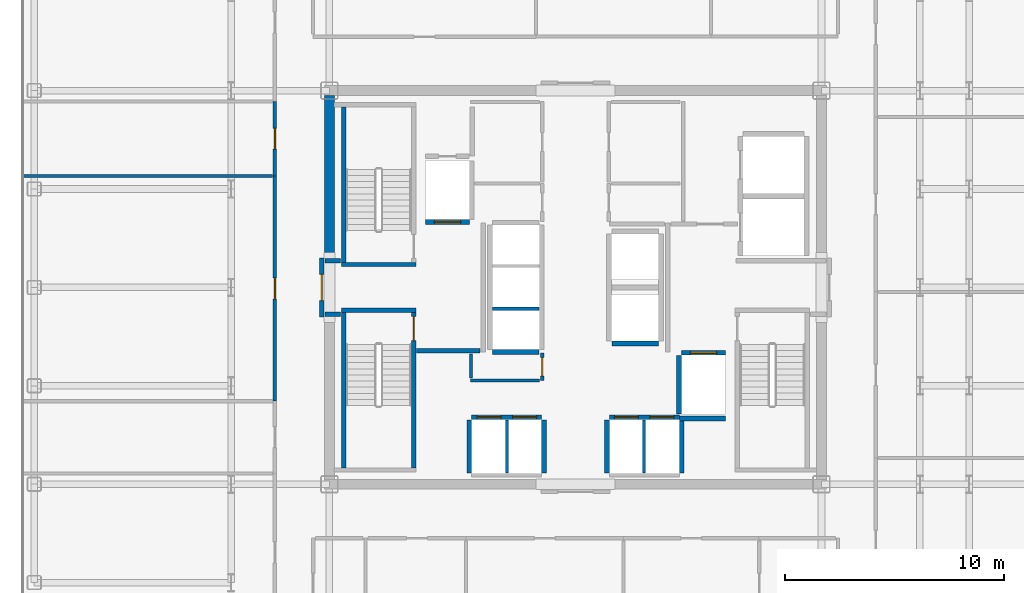
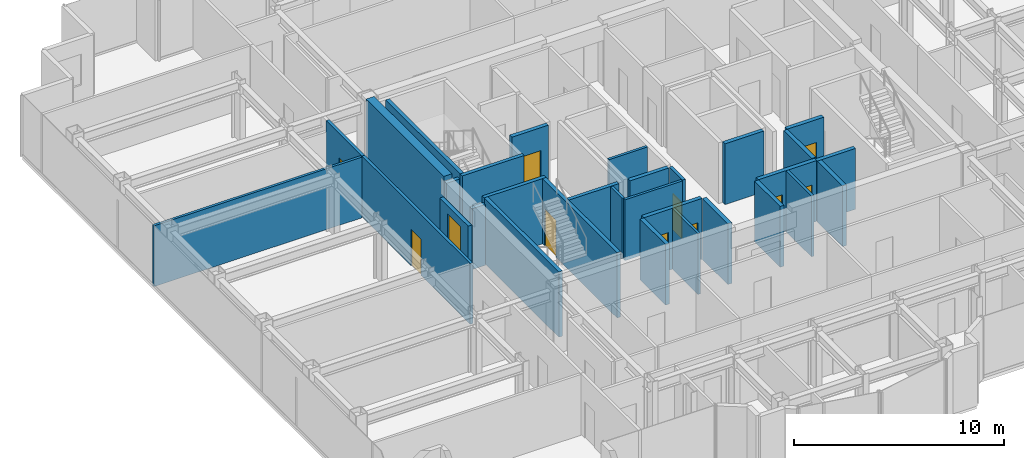
# One storey, part 15 of 20: 31 walls, 11 doors, 11 openings.
"""IFC4 building model written with IfcOpenShell, lengths in metres."""

from ifc_helpers import new_model, si_unit, direction, frame, frame_2d, origin, place, context, subcontext, project, spatial, rectangle, extrude, source, transform, mapped, material, layer, layer_set, type_object, element, fill, save


model = new_model("IFC4")

# Units and contexts
model_context = context("Model", 3, precision=1e-05, world=origin(), true_north=direction((0.0, 1.0)))
body_context = subcontext(model_context, "Body", "Model", "MODEL_VIEW")
ifc_project = project(units=[si_unit("LENGTHUNIT", "METRE"), si_unit("AREAUNIT", "SQUARE_METRE"), si_unit("VOLUMEUNIT", "CUBIC_METRE"), si_unit("PLANEANGLEUNIT", "RADIAN"), si_unit("MASSUNIT", "GRAM", prefix="KILO")], contexts=[model_context])

# Site, building, storey
site_placement = place(None, origin())
site = spatial("IfcSite", under=ifc_project, at=site_placement, CompositionType="ELEMENT")
building_placement = place(site_placement, origin())
building = spatial("IfcBuilding", under=site, at=building_placement, Name="Nefas-Gora Pilgrimage Tower", CompositionType="ELEMENT")
storey_placement = place(building_placement, frame((0.0, 0.0, 237.0)))
storey = spatial("IfcBuildingStorey", under=building, at=storey_placement, Name="L59", CompositionType="ELEMENT", Elevation=237.0)

# Walls
ifc_material_1 = material(Name="Concrete C50/60", Category="concrete")
ifc_layer_1 = layer(ifc_material_1, 0.449951171875)
ifc_layer_set_1 = layer_set([ifc_layer_1], Name="Concrete C50/60")
wall_type_1 = type_object("IfcWallType", Name="SW-CORE-450", PredefinedType="SHEAR", material=ifc_layer_set_1)
shared_shape_1 = source(origin(), body_context, "Body", "SweptSolid", [
    extrude(rectangle(XDim=7.4248046875, YDim=0.449951171875, at=frame_2d((3.71240234375, 0.0))), origin(), (0.0, 0.0, 1.0), 3.800048828125),
])
wall_1_placement = place(storey_placement, frame((-11.25, 1.35009765625, 0.0), z_axis=(0.0, 0.0, 1.0), x_axis=(0.0, 1.0, 0.0)))
element("IfcWall", 1, at=wall_1_placement, inside=storey, type_object=wall_type_1, Name="L59 Core Shear Wall W-North", PredefinedType="SHEAR", context=body_context, shape_type="MappedRepresentation", body=[
    mapped(shared_shape_1, transform((0.0, 0.0, 0.0), x_axis=(1.0, 0.0, 0.0), y_axis=(0.0, 1.0, 0.0), z_axis=(0.0, 0.0, 1.0), scale=1.0)),
])
ifc_material_2 = material(Name="Concrete C45/55", Category="concrete")
ifc_layer_2 = layer(ifc_material_2, 0.199951171875)
ifc_layer_set_2 = layer_set([ifc_layer_2], Name="Concrete C45/55")
wall_type_2 = type_object("IfcWallType", Name="IW-STAIR-200", PredefinedType="SOLIDWALL", material=ifc_layer_set_2)
shared_shape_2 = source(origin(), body_context, "Body", "SweptSolid", [
    extrude(rectangle(XDim=3.39990234375, YDim=0.199951171875, at=frame_2d((1.699951171875, 0.0))), origin(), (0.0, 0.0, 1.0), 3.800048828125),
])
for number, where, z_axis, x_axis, name in (
    (2, (-7.300048828125, 1.050048828125, 0.0), (0.0, 0.0, 1.0), (-1.0, 0.0, 0.0), "L59 Stairwell Shear Wall ST-01-near"),
    (3, (-10.699951171875, -1.050048828125, 0.0), (0.0, 0.0, 1.0), (1.0, 0.0, 0.0), "L59 Stairwell Shear Wall ST-03-near"),
):
    element("IfcWall", number, at=place(storey_placement, frame(where, z_axis=z_axis, x_axis=x_axis)), inside=storey, type_object=wall_type_2, Name=name, PredefinedType="SOLIDWALL", context=body_context, shape_type="MappedRepresentation", body=[
        mapped(shared_shape_2, transform((0.0, 0.0, 0.0), x_axis=(1.0, 0.0, 0.0), y_axis=(0.0, 1.0, 0.0), z_axis=(0.0, 0.0, 1.0), scale=1.0)),
    ])
shared_shape_3 = source(origin(), body_context, "Body", "SweptSolid", [
    extrude(rectangle(XDim=7.10009765625, YDim=0.199951171875, at=frame_2d((3.550048828125, 0.0))), origin(), (0.0, 0.0, 1.0), 3.800048828125),
])
for number, where, z_axis, x_axis, name in (
    (4, (-10.60009765625, 1.14990234375, 0.0), (0.0, 0.0, 1.0), (0.0, 1.0, 0.0), "L59 Stairwell Shear Wall ST-01-right"),
    (5, (-10.60009765625, -1.14990234375, 0.0), (0.0, 0.0, 1.0), (0.0, -1.0, 0.0), "L59 Stairwell Shear Wall ST-03-left"),
):
    element("IfcWall", number, at=place(storey_placement, frame(where, z_axis=z_axis, x_axis=x_axis)), inside=storey, type_object=wall_type_2, Name=name, PredefinedType="SOLIDWALL", context=body_context, shape_type="MappedRepresentation", body=[
        mapped(shared_shape_3, transform((0.0, 0.0, 0.0), x_axis=(1.0, 0.0, 0.0), y_axis=(0.0, 1.0, 0.0), z_axis=(0.0, 0.0, 1.0), scale=1.0)),
    ])

# Wall, opening, door
wall_2_placement = place(storey_placement, frame((-7.39990234375, -1.14990234375, 0.0), z_axis=(0.0, 0.0, 1.0), x_axis=(0.0, -1.0, 0.0)))
wall_2 = element("IfcWall", 6, at=wall_2_placement, inside=storey, type_object=wall_type_2, Name="L59 Stairwell Shear Wall ST-03-right", PredefinedType="SOLIDWALL", context=body_context, shape_type="MappedRepresentation", body=[
    mapped(shared_shape_3, transform((0.0, 0.0, 0.0), x_axis=(1.0, 0.0, 0.0), y_axis=(0.0, 1.0, 0.0), z_axis=(0.0, 0.0, 1.0), scale=1.0)),
])
opening_1_placement = place(wall_2_placement, frame((0.179931640625, 0.0, 0.0)))
opening_1 = element("IfcOpeningElement", 7, at=opening_1_placement, cuts=wall_2, Name="Opening ID-ST1", PredefinedType="OPENING", context=body_context, shape_type="SweptSolid", body=[
    extrude(rectangle(XDim=1.10009765625, YDim=2.14990234375, at=frame_2d((0.550048828125, 1.074951171875))), frame((0.0, 0.10986328125, 0.0), z_axis=(0.0, -1.0, 0.0), x_axis=(1.0, 0.0, 0.0)), (0.0, 0.0, 1.0), 0.219970703125),
])
ifc_material_3 = material(Name="Painted galvanised steel fire stair door", Category="steel")
door_type_1 = type_object("IfcDoorType", Name="DR-INT-STAIR-1100", OperationType="NOTDEFINED", PredefinedType="DOOR", material=ifc_material_3)
shared_shape_4 = source(origin(), body_context, "Body", "SweptSolid", [
    extrude(rectangle(XDim=1.10009765625, YDim=2.14990234375, at=frame_2d((0.550048828125, 1.074951171875))), frame((0.0, 0.02490234375, 0.0), z_axis=(0.0, -1.0, 0.0), x_axis=(1.0, 0.0, 0.0)), (0.0, 0.0, 1.0), 0.050048828125),
])
door_1_placement = place(opening_1_placement, origin())
door_1 = element("IfcDoor", 8, at=door_1_placement, inside=storey, type_object=door_type_1, Name="L59 Protected Exit Stair Door ST-03", OperationType="SINGLE_SWING_LEFT", OverallHeight=2.14990234375, OverallWidth=1.10009765625, PredefinedType="DOOR", context=body_context, shape_type="MappedRepresentation", body=[
    mapped(shared_shape_4, transform((0.0, 0.0, 0.0), x_axis=(1.0, 0.0, 0.0), y_axis=(0.0, 1.0, 0.0), z_axis=(0.0, 0.0, 1.0), scale=1.0)),
])
fill(opening_1, door_1)

ifc_material_4 = material(Name="Concrete C40/50", Category="concrete")
ifc_layer_3 = layer(ifc_material_4, 0.219970703125)
ifc_layer_set_3 = layer_set([ifc_layer_3], Name="Concrete C40/50")
wall_type_3 = type_object("IfcWallType", Name="IW-SHAFT-220", PredefinedType="SOLIDWALL", material=ifc_layer_set_3)
shared_shape_5 = source(origin(), body_context, "Body", "SweptSolid", [
    extrude(rectangle(XDim=2.0, YDim=0.219970703125, at=frame_2d((1.0, 0.0))), origin(), (0.0, 0.0, 1.0), 3.534912109375),
])
wall_3_placement = place(storey_placement, frame((-6.85009765625, 2.989990234375, 0.0), z_axis=(0.0, 0.0, 1.0), x_axis=(1.0, 0.0, 0.0)))
wall_3 = element("IfcWall", 9, at=wall_3_placement, inside=storey, type_object=wall_type_3, Name="L59 Hoistway Wall FFL-01-S", PredefinedType="SOLIDWALL", context=body_context, shape_type="MappedRepresentation", body=[
    mapped(shared_shape_5, transform((0.0, 0.0, 0.0), x_axis=(1.0, 0.0, 0.0), y_axis=(0.0, 1.0, 0.0), z_axis=(0.0, 0.0, 1.0), scale=1.0)),
])
opening_2_placement = place(wall_3_placement, frame((0.39990234375, 0.0, 0.0)))
opening_2 = element("IfcOpeningElement", 10, at=opening_2_placement, cuts=wall_3, Name="Opening LD-FF", PredefinedType="OPENING", context=body_context, shape_type="SweptSolid", body=[
    extrude(rectangle(XDim=1.199951171875, YDim=2.199951171875, at=frame_2d((0.60009765625, 1.10009765625))), frame((0.0, 0.119873046875, 0.0), z_axis=(0.0, -1.0, 0.0), x_axis=(1.0, 0.0, 0.0)), (0.0, 0.0, 1.0), 0.239990234375),
])
ifc_material_5 = material(Name="Fire-service sliding lift landing door")
door_type_2 = type_object("IfcDoorType", Name="DR-LIFT-FSAE-1200", OperationType="SLIDING_TO_LEFT", PredefinedType="DOOR", material=ifc_material_5)
shared_shape_6 = source(origin(), body_context, "Body", "SweptSolid", [
    extrude(rectangle(XDim=1.199951171875, YDim=2.199951171875, at=frame_2d((0.60009765625, 1.10009765625))), frame((0.0, 0.02490234375, 0.0), z_axis=(0.0, -1.0, 0.0), x_axis=(1.0, 0.0, 0.0)), (0.0, 0.0, 1.0), 0.050048828125),
])
door_2_placement = place(opening_2_placement, origin())
door_2 = element("IfcDoor", 11, at=door_2_placement, inside=storey, type_object=door_type_2, Name="L59 Sliding Lift Landing Door FFL-01", OperationType="SLIDING_TO_LEFT", OverallHeight=2.199951171875, OverallWidth=1.199951171875, PredefinedType="DOOR", context=body_context, shape_type="MappedRepresentation", body=[
    mapped(shared_shape_6, transform((0.0, 0.0, 0.0), x_axis=(1.0, 0.0, 0.0), y_axis=(0.0, 1.0, 0.0), z_axis=(0.0, 0.0, 1.0), scale=1.0)),
])
fill(opening_2, door_2)

wall_4_placement = place(storey_placement, frame((6.85009765625, -2.989990234375, 0.0), z_axis=(0.0, 0.0, 1.0), x_axis=(-1.0, 0.0, 0.0)))
wall_4 = element("IfcWall", 12, at=wall_4_placement, inside=storey, type_object=wall_type_3, Name="L59 Hoistway Wall FFL-02-N", PredefinedType="SOLIDWALL", context=body_context, shape_type="MappedRepresentation", body=[
    mapped(shared_shape_5, transform((0.0, 0.0, 0.0), x_axis=(1.0, 0.0, 0.0), y_axis=(0.0, 1.0, 0.0), z_axis=(0.0, 0.0, 1.0), scale=1.0)),
])
opening_3_placement = place(wall_4_placement, frame((0.39990234375, 0.0, 0.0)))
opening_3 = element("IfcOpeningElement", 13, at=opening_3_placement, cuts=wall_4, Name="Opening LD-FF", PredefinedType="OPENING", context=body_context, shape_type="SweptSolid", body=[
    extrude(rectangle(XDim=1.199951171875, YDim=2.199951171875, at=frame_2d((0.60009765625, 1.10009765625))), frame((0.0, 0.119873046875, 0.0), z_axis=(0.0, -1.0, 0.0), x_axis=(1.0, 0.0, 0.0)), (0.0, 0.0, 1.0), 0.239990234375),
])
door_3_placement = place(opening_3_placement, origin())
door_3 = element("IfcDoor", 14, at=door_3_placement, inside=storey, type_object=door_type_2, Name="L59 Sliding Lift Landing Door FFL-02", OperationType="SLIDING_TO_LEFT", OverallHeight=2.199951171875, OverallWidth=1.199951171875, PredefinedType="DOOR", context=body_context, shape_type="MappedRepresentation", body=[
    mapped(shared_shape_6, transform((0.0, 0.0, 0.0), x_axis=(1.0, 0.0, 0.0), y_axis=(0.0, 1.0, 0.0), z_axis=(0.0, 0.0, 1.0), scale=1.0)),
])
fill(opening_3, door_3)

# Wall
shared_shape_7 = source(origin(), body_context, "Body", "SweptSolid", [
    extrude(rectangle(XDim=2.679931640625, YDim=0.219970703125, at=frame_2d((1.33984375, 0.0))), origin(), (0.0, 0.0, 1.0), 3.534912109375),
])
wall_5_placement = place(storey_placement, frame((4.739990234375, -3.110107421875, 0.0), z_axis=(0.0, 0.0, 1.0), x_axis=(0.0, -1.0, 0.0)))
element("IfcWall", 15, at=wall_5_placement, inside=storey, type_object=wall_type_3, Name="L59 Hoistway Wall FFL-02-W", PredefinedType="SOLIDWALL", context=body_context, shape_type="MappedRepresentation", body=[
    mapped(shared_shape_7, transform((0.0, 0.0, 0.0), x_axis=(1.0, 0.0, 0.0), y_axis=(0.0, 1.0, 0.0), z_axis=(0.0, 0.0, 1.0), scale=1.0)),
])

# Wall, openings, doors
shared_shape_8 = source(origin(), body_context, "Body", "SweptSolid", [
    extrude(rectangle(XDim=3.199951171875, YDim=0.219970703125, at=frame_2d((1.60009765625, 0.0))), origin(), (0.0, 0.0, 1.0), 3.534912109375),
])
wall_6_placement = place(storey_placement, frame((-1.550048828125, -5.93994140625, 0.0), z_axis=(0.0, 0.0, 1.0), x_axis=(-1.0, 0.0, 0.0)))
wall_6 = element("IfcWall", 16, at=wall_6_placement, inside=storey, type_object=wall_type_3, Name="L59 Hoistway Wall PL2-W-N", PredefinedType="SOLIDWALL", context=body_context, shape_type="MappedRepresentation", body=[
    mapped(shared_shape_8, transform((0.0, 0.0, 0.0), x_axis=(1.0, 0.0, 0.0), y_axis=(0.0, 1.0, 0.0), z_axis=(0.0, 0.0, 1.0), scale=1.0)),
])
opening_4_placement = place(wall_6_placement, frame((1.85009765625, 0.0, 0.0)))
opening_4 = element("IfcOpeningElement", 17, at=opening_4_placement, cuts=wall_6, Name="Opening LD-01", PredefinedType="OPENING", context=body_context, shape_type="SweptSolid", body=[
    extrude(rectangle(XDim=1.10009765625, YDim=2.199951171875, at=frame_2d((0.550048828125, 1.10009765625))), frame((0.0, 0.119873046875, 0.0), z_axis=(0.0, -1.0, 0.0), x_axis=(1.0, 0.0, 0.0)), (0.0, 0.0, 1.0), 0.239990234375),
])
opening_5_placement = place(wall_6_placement, frame((0.22509765625, 0.0, 0.0)))
opening_5 = element("IfcOpeningElement", 18, at=opening_5_placement, cuts=wall_6, Name="Opening LD-01", PredefinedType="OPENING", context=body_context, shape_type="SweptSolid", body=[
    extrude(rectangle(XDim=1.10009765625, YDim=2.199951171875, at=frame_2d((0.550048828125, 1.10009765625))), frame((0.0, 0.119873046875, 0.0), z_axis=(0.0, -1.0, 0.0), x_axis=(1.0, 0.0, 0.0)), (0.0, 0.0, 1.0), 0.239990234375),
])
ifc_material_6 = material(Name="Brushed stainless sliding lift landing door")
door_type_3 = type_object("IfcDoorType", Name="DR-LIFT-PASS-1100", OperationType="DOUBLE_DOOR_SLIDING", PredefinedType="DOOR", material=ifc_material_6)
shared_shape_9 = source(origin(), body_context, "Body", "SweptSolid", [
    extrude(rectangle(XDim=1.10009765625, YDim=2.199951171875, at=frame_2d((0.550048828125, 1.10009765625))), frame((0.0, 0.02490234375, 0.0), z_axis=(0.0, -1.0, 0.0), x_axis=(1.0, 0.0, 0.0)), (0.0, 0.0, 1.0), 0.050048828125),
])
door_4_placement = place(opening_4_placement, origin())
door_4 = element("IfcDoor", 19, at=door_4_placement, inside=storey, type_object=door_type_3, Name="L59 Sliding Lift Landing Door PL2-01", OperationType="DOUBLE_DOOR_SLIDING", OverallHeight=2.199951171875, OverallWidth=1.10009765625, PredefinedType="DOOR", context=body_context, shape_type="MappedRepresentation", body=[
    mapped(shared_shape_9, transform((0.0, 0.0, 0.0), x_axis=(1.0, 0.0, 0.0), y_axis=(0.0, 1.0, 0.0), z_axis=(0.0, 0.0, 1.0), scale=1.0)),
])
fill(opening_4, door_4)
door_5_placement = place(opening_5_placement, origin())
door_5 = element("IfcDoor", 20, at=door_5_placement, inside=storey, type_object=door_type_3, Name="L59 Sliding Lift Landing Door PL2-02", OperationType="DOUBLE_DOOR_SLIDING", OverallHeight=2.199951171875, OverallWidth=1.10009765625, PredefinedType="DOOR", context=body_context, shape_type="MappedRepresentation", body=[
    mapped(shared_shape_9, transform((0.0, 0.0, 0.0), x_axis=(1.0, 0.0, 0.0), y_axis=(0.0, 1.0, 0.0), z_axis=(0.0, 0.0, 1.0), scale=1.0)),
])
fill(opening_5, door_5)

wall_7_placement = place(storey_placement, frame((4.75, -5.93994140625, 0.0), z_axis=(0.0, 0.0, 1.0), x_axis=(-1.0, 0.0, 0.0)))
wall_7 = element("IfcWall", 21, at=wall_7_placement, inside=storey, type_object=wall_type_3, Name="L59 Hoistway Wall PL2-E-N", PredefinedType="SOLIDWALL", context=body_context, shape_type="MappedRepresentation", body=[
    mapped(shared_shape_8, transform((0.0, 0.0, 0.0), x_axis=(1.0, 0.0, 0.0), y_axis=(0.0, 1.0, 0.0), z_axis=(0.0, 0.0, 1.0), scale=1.0)),
])
opening_6_placement = place(wall_7_placement, frame((1.875, 0.0, 0.0)))
opening_6 = element("IfcOpeningElement", 22, at=opening_6_placement, cuts=wall_7, Name="Opening LD-01", PredefinedType="OPENING", context=body_context, shape_type="SweptSolid", body=[
    extrude(rectangle(XDim=1.10009765625, YDim=2.199951171875, at=frame_2d((0.550048828125, 1.10009765625))), frame((0.0, 0.119873046875, 0.0), z_axis=(0.0, -1.0, 0.0), x_axis=(1.0, 0.0, 0.0)), (0.0, 0.0, 1.0), 0.239990234375),
])
opening_7_placement = place(wall_7_placement, frame((0.25, 0.0, 0.0)))
opening_7 = element("IfcOpeningElement", 23, at=opening_7_placement, cuts=wall_7, Name="Opening LD-01", PredefinedType="OPENING", context=body_context, shape_type="SweptSolid", body=[
    extrude(rectangle(XDim=1.10009765625, YDim=2.199951171875, at=frame_2d((0.550048828125, 1.10009765625))), frame((0.0, 0.119873046875, 0.0), z_axis=(0.0, -1.0, 0.0), x_axis=(1.0, 0.0, 0.0)), (0.0, 0.0, 1.0), 0.239990234375),
])
door_6_placement = place(opening_6_placement, origin())
door_6 = element("IfcDoor", 24, at=door_6_placement, inside=storey, type_object=door_type_3, Name="L59 Sliding Lift Landing Door PL2-03", OperationType="DOUBLE_DOOR_SLIDING", OverallHeight=2.199951171875, OverallWidth=1.10009765625, PredefinedType="DOOR", context=body_context, shape_type="MappedRepresentation", body=[
    mapped(shared_shape_9, transform((0.0, 0.0, 0.0), x_axis=(1.0, 0.0, 0.0), y_axis=(0.0, 1.0, 0.0), z_axis=(0.0, 0.0, 1.0), scale=1.0)),
])
fill(opening_6, door_6)
door_7_placement = place(opening_7_placement, origin())
door_7 = element("IfcDoor", 25, at=door_7_placement, inside=storey, type_object=door_type_3, Name="L59 Sliding Lift Landing Door PL2-04", OperationType="DOUBLE_DOOR_SLIDING", OverallHeight=2.199951171875, OverallWidth=1.10009765625, PredefinedType="DOOR", context=body_context, shape_type="MappedRepresentation", body=[
    mapped(shared_shape_9, transform((0.0, 0.0, 0.0), x_axis=(1.0, 0.0, 0.0), y_axis=(0.0, 1.0, 0.0), z_axis=(0.0, 0.0, 1.0), scale=1.0)),
])
fill(opening_7, door_7)

# Walls
shared_shape_10 = source(origin(), body_context, "Body", "SweptSolid", [
    extrude(rectangle(XDim=2.429931640625, YDim=0.219970703125, at=frame_2d((1.21484375, 0.0))), origin(), (0.0, 0.0, 1.0), 3.534912109375),
])
for number, where, z_axis, x_axis, name in (
    (26, (-4.860107421875, -6.06005859375, 0.0), (0.0, 0.0, 1.0), (0.0, -1.0, 0.0), "L59 Hoistway Wall PL2-W-W"),
    (27, (-1.43994140625, -8.489990234375, 0.0), (0.0, 0.0, 1.0), (0.0, 1.0, 0.0), "L59 Hoistway Wall PL2-W-E"),
    (28, (1.43994140625, -6.06005859375, 0.0), (0.0, 0.0, 1.0), (0.0, -1.0, 0.0), "L59 Hoistway Wall PL2-E-W"),
    (29, (4.860107421875, -8.489990234375, 0.0), (0.0, 0.0, 1.0), (0.0, 1.0, 0.0), "L59 Hoistway Wall PL2-E-E"),
):
    element("IfcWall", number, at=place(storey_placement, frame(where, z_axis=z_axis, x_axis=x_axis)), inside=storey, type_object=wall_type_3, Name=name, PredefinedType="SOLIDWALL", context=body_context, shape_type="MappedRepresentation", body=[
        mapped(shared_shape_10, transform((0.0, 0.0, 0.0), x_axis=(1.0, 0.0, 0.0), y_axis=(0.0, 1.0, 0.0), z_axis=(0.0, 0.0, 1.0), scale=1.0)),
    ])
ifc_material_7 = material(Name="Gypsum twin-stud partition")
ifc_layer_4 = layer(ifc_material_7, 0.139892578125)
ifc_layer_set_4 = layer_set([ifc_layer_4], Name="Gypsum twin-stud partition")
wall_type_4 = type_object("IfcWallType", Name="IW-UNIT-140", PredefinedType="PARTITIONING", material=ifc_layer_set_4)
shared_shape_11 = source(origin(), body_context, "Body", "SweptSolid", [
    extrude(rectangle(XDim=2.429931640625, YDim=0.139892578125, at=frame_2d((1.21484375, 0.0))), origin(), (0.0, 0.0, 1.0), 3.534912109375),
])
for number, where, z_axis, x_axis, name in (
    (30, (-3.125, -8.489990234375, 0.0), (0.0, 0.0, 1.0), (0.0, 1.0, 0.0), "L59 Hoistway Wall PL2-W-DIV"),
    (31, (3.125, -8.489990234375, 0.0), (0.0, 0.0, 1.0), (0.0, 1.0, 0.0), "L59 Hoistway Wall PL2-E-DIV"),
):
    element("IfcWall", number, at=place(storey_placement, frame(where, z_axis=z_axis, x_axis=x_axis)), inside=storey, type_object=wall_type_4, Name=name, PredefinedType="PARTITIONING", context=body_context, shape_type="MappedRepresentation", body=[
        mapped(shared_shape_11, transform((0.0, 0.0, 0.0), x_axis=(1.0, 0.0, 0.0), y_axis=(0.0, 1.0, 0.0), z_axis=(0.0, 0.0, 1.0), scale=1.0)),
    ])
shared_shape_12 = source(origin(), body_context, "Body", "SweptSolid", [
    extrude(rectangle(XDim=2.130126953125, YDim=0.219970703125, at=frame_2d((1.06494140625, 0.0))), origin(), (0.0, 0.0, 1.0), 3.534912109375),
])
for number, where, z_axis, x_axis, name in (
    (32, (-3.7900390625, -2.9599609375, 0.0), (0.0, 0.0, 1.0), (1.0, 0.0, 0.0), "L59 Hoistway Wall PL3-01-S"),
    (33, (1.659912109375, -2.56005859375, 0.0), (0.0, 0.0, 1.0), (1.0, 0.0, 0.0), "L59 Hoistway Wall OBS-01-S"),
):
    element("IfcWall", number, at=place(storey_placement, frame(where, z_axis=z_axis, x_axis=x_axis)), inside=storey, type_object=wall_type_3, Name=name, PredefinedType="SOLIDWALL", context=body_context, shape_type="MappedRepresentation", body=[
        mapped(shared_shape_12, transform((0.0, 0.0, 0.0), x_axis=(1.0, 0.0, 0.0), y_axis=(0.0, 1.0, 0.0), z_axis=(0.0, 0.0, 1.0), scale=1.0)),
    ])
shared_shape_13 = source(origin(), body_context, "Body", "SweptSolid", [
    extrude(rectangle(XDim=2.130126953125, YDim=0.139892578125, at=frame_2d((1.06494140625, 0.0))), origin(), (0.0, 0.0, 1.0), 3.534912109375),
])
wall_8_placement = place(storey_placement, frame((-3.7900390625, -0.97509765625, 0.0), z_axis=(0.0, 0.0, 1.0), x_axis=(1.0, 0.0, 0.0)))
element("IfcWall", 34, at=wall_8_placement, inside=storey, type_object=wall_type_4, Name="L59 Hoistway Wall PL3-01-02-DIV", PredefinedType="PARTITIONING", context=body_context, shape_type="MappedRepresentation", body=[
    mapped(shared_shape_13, transform((0.0, 0.0, 0.0), x_axis=(1.0, 0.0, 0.0), y_axis=(0.0, 1.0, 0.0), z_axis=(0.0, 0.0, 1.0), scale=1.0)),
])
shared_shape_14 = source(origin(), body_context, "Body", "SweptSolid", [
    extrude(rectangle(XDim=2.09521484375, YDim=0.219970703125, at=frame_2d((1.047607421875, 0.0))), origin(), (0.0, 0.0, 1.0), 3.534912109375),
])
wall_9_placement = place(storey_placement, frame((4.7548828125, -6.0, 0.0), z_axis=(0.0, 0.0, 1.0), x_axis=(1.0, 0.0, 0.0)))
element("IfcWall", 35, at=wall_9_placement, inside=storey, type_object=wall_type_3, Name="L59 Riser Shaft Wall 3", PredefinedType="SOLIDWALL", context=body_context, shape_type="MappedRepresentation", body=[
    mapped(shared_shape_14, transform((0.0, 0.0, 0.0), x_axis=(1.0, 0.0, 0.0), y_axis=(0.0, 1.0, 0.0), z_axis=(0.0, 0.0, 1.0), scale=1.0)),
])
ifc_material_8 = material(Name="Gypsum fire-rated shaftwall")
ifc_layer_5 = layer(ifc_material_8, 0.199951171875)
ifc_layer_set_5 = layer_set([ifc_layer_5], Name="Gypsum fire-rated shaftwall")
wall_type_5 = type_object("IfcWallType", Name="IW-FFLOB-200", PredefinedType="PARTITIONING", material=ifc_layer_set_5)
shared_shape_15 = source(origin(), body_context, "Body", "SweptSolid", [
    extrude(rectangle(XDim=2.89990234375, YDim=0.199951171875, at=frame_2d((1.449951171875, 0.0))), origin(), (0.0, 0.0, 1.0), 3.534912109375),
])
wall_10_placement = place(storey_placement, frame((-7.260009765625, -2.89990234375, 0.0), z_axis=(0.0, 0.0, 1.0), x_axis=(1.0, 0.0, 0.0)))
element("IfcWall", 36, at=wall_10_placement, inside=storey, type_object=wall_type_5, Name="L59 FF Lobby West South Wall Wall 6", PredefinedType="PARTITIONING", context=body_context, shape_type="MappedRepresentation", body=[
    mapped(shared_shape_15, transform((0.0, 0.0, 0.0), x_axis=(1.0, 0.0, 0.0), y_axis=(0.0, 1.0, 0.0), z_axis=(0.0, 0.0, 1.0), scale=1.0)),
])
shared_shape_16 = source(origin(), body_context, "Body", "SweptSolid", [
    extrude(rectangle(XDim=0.719970703125, YDim=0.199951171875, at=frame_2d((0.35986328125, 0.0))), origin(), (0.0, 0.0, 1.0), 3.534912109375),
])
for number, where, z_axis, x_axis, name in (
    (37, (-11.4599609375, 1.219970703125, 0.0), (0.0, 0.0, 1.0), (1.0, 0.0, 0.0), "L59 FF Lobby West Throat N Wall 7"),
    (38, (-11.4599609375, -1.219970703125, 0.0), (0.0, 0.0, 1.0), (1.0, 0.0, 0.0), "L59 FF Lobby West Throat S Wall 8"),
):
    element("IfcWall", number, at=place(storey_placement, frame(where, z_axis=z_axis, x_axis=x_axis)), inside=storey, type_object=wall_type_5, Name=name, PredefinedType="PARTITIONING", context=body_context, shape_type="MappedRepresentation", body=[
        mapped(shared_shape_16, transform((0.0, 0.0, 0.0), x_axis=(1.0, 0.0, 0.0), y_axis=(0.0, 1.0, 0.0), z_axis=(0.0, 0.0, 1.0), scale=1.0)),
    ])

# Wall, opening, door
ifc_material_9 = material(Name="Gypsum acoustic stud partition")
ifc_layer_6 = layer(ifc_material_9, 0.159912109375)
ifc_layer_set_6 = layer_set([ifc_layer_6], Name="Gypsum acoustic stud partition")
wall_type_6 = type_object("IfcWallType", Name="IW-CORR-160", PredefinedType="PARTITIONING", material=ifc_layer_set_6)
shared_shape_17 = source(origin(), body_context, "Body", "SweptSolid", [
    extrude(rectangle(XDim=1.25, YDim=0.159912109375, at=frame_2d((0.625, 0.0))), origin(), (0.0, 0.0, 1.0), 3.534912109375),
])
wall_11_placement = place(storey_placement, frame((-1.52001953125, -4.260009765625, 0.0), z_axis=(0.0, 0.0, 1.0), x_axis=(0.0, 1.0, 0.0)))
wall_11 = element("IfcWall", 39, at=wall_11_placement, inside=storey, type_object=wall_type_6, Name="L59 Guest Self-Service Laundry Room Wall 26", PredefinedType="PARTITIONING", context=body_context, shape_type="MappedRepresentation", body=[
    mapped(shared_shape_17, transform((0.0, 0.0, 0.0), x_axis=(1.0, 0.0, 0.0), y_axis=(0.0, 1.0, 0.0), z_axis=(0.0, 0.0, 1.0), scale=1.0)),
])
opening_8_placement = place(wall_11_placement, frame((0.199951171875, 0.0, 0.0)))
opening_8 = element("IfcOpeningElement", 40, at=opening_8_placement, cuts=wall_11, Name="Opening ID-BT1", PredefinedType="OPENING", context=body_context, shape_type="SweptSolid", body=[
    extrude(rectangle(XDim=0.85009765625, YDim=2.10009765625, at=frame_2d((0.425048828125, 1.050048828125))), frame((0.0, 0.08984375, 0.0), z_axis=(0.0, -1.0, 0.0), x_axis=(1.0, 0.0, 0.0)), (0.0, 0.0, 1.0), 0.179931640625),
])
ifc_material_10 = material(Name="Moisture-resistant fire-rated timber door", Category="wood")
door_type_4 = type_object("IfcDoorType", Name="DR-INT-BATH-850", OperationType="NOTDEFINED", PredefinedType="DOOR", material=ifc_material_10)
shared_shape_18 = source(origin(), body_context, "Body", "SweptSolid", [
    extrude(rectangle(XDim=0.85009765625, YDim=2.10009765625, at=frame_2d((0.425048828125, 1.050048828125))), frame((0.0, 0.02490234375, 0.0), z_axis=(0.0, -1.0, 0.0), x_axis=(1.0, 0.0, 0.0)), (0.0, 0.0, 1.0), 0.050048828125),
])
door_8_placement = place(opening_8_placement, origin())
door_8 = element("IfcDoor", 41, at=door_8_placement, inside=storey, type_object=door_type_4, Name="L59 Guest Self-Service Laundry Room Door 11", OperationType="SINGLE_SWING_LEFT", OverallHeight=2.10009765625, OverallWidth=0.85009765625, PredefinedType="DOOR", context=body_context, shape_type="MappedRepresentation", body=[
    mapped(shared_shape_18, transform((0.0, 0.0, 0.0), x_axis=(1.0, 0.0, 0.0), y_axis=(0.0, 1.0, 0.0), z_axis=(0.0, 0.0, 1.0), scale=1.0)),
])
fill(opening_8, door_8)

# Wall
shared_shape_19 = source(origin(), body_context, "Body", "SweptSolid", [
    extrude(rectangle(XDim=3.150146484375, YDim=0.139892578125, at=frame_2d((1.5751953125, 0.0))), origin(), (0.0, 0.0, 1.0), 3.534912109375),
])
wall_12_placement = place(storey_placement, frame((-4.7900390625, -4.25, 0.0), z_axis=(0.0, 0.0, 1.0), x_axis=(1.0, 0.0, 0.0)))
element("IfcWall", 42, at=wall_12_placement, inside=storey, type_object=wall_type_4, Name="L59 Guest Self-Service Laundry Room Partition Wall 27", PredefinedType="PARTITIONING", context=body_context, shape_type="MappedRepresentation", body=[
    mapped(shared_shape_19, transform((0.0, 0.0, 0.0), x_axis=(1.0, 0.0, 0.0), y_axis=(0.0, 1.0, 0.0), z_axis=(0.0, 0.0, 1.0), scale=1.0)),
])

# Wall, opening, door
shared_shape_20 = source(origin(), body_context, "Body", "SweptSolid", [
    extrude(rectangle(XDim=3.409912109375, YDim=0.159912109375, at=frame_2d((1.705078125, 0.0))), origin(), (0.0, 0.0, 1.0), 3.534912109375),
])
wall_13_placement = place(storey_placement, frame((-13.739990234375, 5.094970703125, 0.0), z_axis=(0.0, 0.0, 1.0), x_axis=(0.0, 1.0, 0.0)))
wall_13 = element("IfcWall", 43, at=wall_13_placement, inside=storey, type_object=wall_type_6, Name="L59 Scripture Reading Study Partition Wall 40", PredefinedType="PARTITIONING", context=body_context, shape_type="MappedRepresentation", body=[
    mapped(shared_shape_20, transform((0.0, 0.0, 0.0), x_axis=(1.0, 0.0, 0.0), y_axis=(0.0, 1.0, 0.0), z_axis=(0.0, 0.0, 1.0), scale=1.0)),
])
opening_9_placement = place(wall_13_placement, frame((1.22998046875, 0.0, 0.0)))
opening_9 = element("IfcOpeningElement", 44, at=opening_9_placement, cuts=wall_13, Name="Opening ID-GR1", PredefinedType="OPENING", context=body_context, shape_type="SweptSolid", body=[
    extrude(rectangle(XDim=0.949951171875, YDim=2.10009765625, at=frame_2d((0.47509765625, 1.050048828125))), frame((0.0, 0.08984375, 0.0), z_axis=(0.0, -1.0, 0.0), x_axis=(1.0, 0.0, 0.0)), (0.0, 0.0, 1.0), 0.179931640625),
])
ifc_material_11 = material(Name="Solid core oak fire-rated guest entrance door")
door_type_5 = type_object("IfcDoorType", Name="DR-INT-GUEST-950", OperationType="NOTDEFINED", PredefinedType="DOOR", material=ifc_material_11)
shared_shape_21 = source(origin(), body_context, "Body", "SweptSolid", [
    extrude(rectangle(XDim=0.949951171875, YDim=2.10009765625, at=frame_2d((0.47509765625, 1.050048828125))), frame((0.0, 0.02490234375, 0.0), z_axis=(0.0, -1.0, 0.0), x_axis=(1.0, 0.0, 0.0)), (0.0, 0.0, 1.0), 0.050048828125),
])
door_9_placement = place(opening_9_placement, origin())
door_9 = element("IfcDoor", 45, at=door_9_placement, inside=storey, type_object=door_type_5, Name="L59 Scripture Reading Study Door 17", OperationType="SINGLE_SWING_LEFT", OverallHeight=2.10009765625, OverallWidth=0.949951171875, PredefinedType="DOOR", context=body_context, shape_type="MappedRepresentation", body=[
    mapped(shared_shape_21, transform((0.0, 0.0, 0.0), x_axis=(1.0, 0.0, 0.0), y_axis=(0.0, 1.0, 0.0), z_axis=(0.0, 0.0, 1.0), scale=1.0)),
])
fill(opening_9, door_9)

shared_shape_22 = source(origin(), body_context, "Body", "SweptSolid", [
    extrude(rectangle(XDim=10.31005859375, YDim=0.159912109375, at=frame_2d((5.155029296875, 0.0))), origin(), (0.0, 0.0, 1.0), 3.534912109375),
])
wall_14_placement = place(storey_placement, frame((-13.739990234375, -5.205078125, 0.0), z_axis=(0.0, 0.0, 1.0), x_axis=(0.0, 1.0, 0.0)))
wall_14 = element("IfcWall", 46, at=wall_14_placement, inside=storey, type_object=wall_type_6, Name="L59 Pilgrim Devotional Prayer Gallery Partition Wall 38", PredefinedType="PARTITIONING", context=body_context, shape_type="MappedRepresentation", body=[
    mapped(shared_shape_22, transform((0.0, 0.0, 0.0), x_axis=(1.0, 0.0, 0.0), y_axis=(0.0, 1.0, 0.0), z_axis=(0.0, 0.0, 1.0), scale=1.0)),
])
opening_10_placement = place(wall_14_placement, frame((4.679931640625, 0.0, 0.0)))
opening_10 = element("IfcOpeningElement", 47, at=opening_10_placement, cuts=wall_14, Name="Opening ID-GR1", PredefinedType="OPENING", context=body_context, shape_type="SweptSolid", body=[
    extrude(rectangle(XDim=0.949951171875, YDim=2.10009765625, at=frame_2d((0.47509765625, 1.050048828125))), frame((0.0, 0.08984375, 0.0), z_axis=(0.0, -1.0, 0.0), x_axis=(1.0, 0.0, 0.0)), (0.0, 0.0, 1.0), 0.179931640625),
])
door_10_placement = place(opening_10_placement, origin())
door_10 = element("IfcDoor", 48, at=door_10_placement, inside=storey, type_object=door_type_5, Name="L59 Pilgrim Devotional Prayer Gallery Door 16", OperationType="SINGLE_SWING_RIGHT", OverallHeight=2.10009765625, OverallWidth=0.949951171875, PredefinedType="DOOR", context=body_context, shape_type="MappedRepresentation", body=[
    mapped(shared_shape_21, transform((0.0, 0.0, 0.0), x_axis=(1.0, 0.0, 0.0), y_axis=(0.0, 1.0, 0.0), z_axis=(0.0, 0.0, 1.0), scale=1.0)),
])
fill(opening_10, door_10)

# Walls
shared_shape_23 = source(origin(), body_context, "Body", "SweptSolid", [
    extrude(rectangle(XDim=1.099853515625, YDim=0.139892578125, at=frame_2d((0.5498046875, 0.0))), origin(), (0.0, 0.0, 1.0), 3.534912109375),
])
wall_15_placement = place(storey_placement, frame((-4.780029296875, -4.139892578125, 0.0), z_axis=(0.0, 0.0, 1.0), x_axis=(0.0, 1.0, 0.0)))
element("IfcWall", 49, at=wall_15_placement, inside=storey, type_object=wall_type_4, Name="L59 Guest Self-Service Laundry Room Partition Wall 28", PredefinedType="PARTITIONING", context=body_context, shape_type="MappedRepresentation", body=[
    mapped(shared_shape_23, transform((0.0, 0.0, 0.0), x_axis=(1.0, 0.0, 0.0), y_axis=(0.0, 1.0, 0.0), z_axis=(0.0, 0.0, 1.0), scale=1.0)),
])
shared_shape_24 = source(origin(), body_context, "Body", "SweptSolid", [
    extrude(rectangle(XDim=11.429931640625, YDim=0.139892578125, at=frame_2d((5.71484375, 0.0))), origin(), (0.0, 0.0, 1.0), 3.534912109375),
])
wall_16_placement = place(storey_placement, frame((-25.2900390625, 5.094970703125, 0.0), z_axis=(0.0, 0.0, 1.0), x_axis=(1.0, 0.0, 0.0)))
element("IfcWall", 50, at=wall_16_placement, inside=storey, type_object=wall_type_4, Name="L59 Pilgrim Devotional Prayer Gallery Partition Wall 39", PredefinedType="PARTITIONING", context=body_context, shape_type="MappedRepresentation", body=[
    mapped(shared_shape_24, transform((0.0, 0.0, 0.0), x_axis=(1.0, 0.0, 0.0), y_axis=(0.0, 1.0, 0.0), z_axis=(0.0, 0.0, 1.0), scale=1.0)),
])

# Wall, opening, door
shared_shape_25 = source(origin(), body_context, "Body", "SweptSolid", [
    extrude(rectangle(XDim=2.7001953125, YDim=0.199951171875, at=frame_2d((1.35009765625, 0.0))), origin(), (0.0, 0.0, 1.0), 2.625),
])
wall_17_placement = place(storey_placement, frame((-11.60009765625, -1.35009765625, 0.0), z_axis=(0.0, 0.0, 1.0), x_axis=(0.0, 1.0, 0.0)))
wall_17 = element("IfcWall", 51, at=wall_17_placement, inside=storey, type_object=wall_type_5, Name="L59 FF Lobby West Portal Wall 4", PredefinedType="PARTITIONING", context=body_context, shape_type="MappedRepresentation", body=[
    mapped(shared_shape_25, transform((0.0, 0.0, 0.0), x_axis=(1.0, 0.0, 0.0), y_axis=(0.0, 1.0, 0.0), z_axis=(0.0, 0.0, 1.0), scale=1.0)),
])
opening_11_placement = place(wall_17_placement, frame((0.75, 0.0, 0.0)))
opening_11 = element("IfcOpeningElement", 52, at=opening_11_placement, cuts=wall_17, Name="Opening ID-FF1", PredefinedType="OPENING", context=body_context, shape_type="SweptSolid", body=[
    extrude(rectangle(XDim=1.199951171875, YDim=2.14990234375, at=frame_2d((0.60009765625, 1.074951171875))), frame((0.0, 0.10986328125, 0.0), z_axis=(0.0, -1.0, 0.0), x_axis=(1.0, 0.0, 0.0)), (0.0, 0.0, 1.0), 0.219970703125),
])
ifc_material_12 = material(Name="Smoke-sealed steel firefighting lobby door", Category="steel")
door_type_6 = type_object("IfcDoorType", Name="DR-INT-FFLOB-1200", OperationType="NOTDEFINED", PredefinedType="DOOR", material=ifc_material_12)
shared_shape_26 = source(origin(), body_context, "Body", "SweptSolid", [
    extrude(rectangle(XDim=1.199951171875, YDim=2.14990234375, at=frame_2d((0.60009765625, 1.074951171875))), frame((0.0, 0.02490234375, 0.0), z_axis=(0.0, -1.0, 0.0), x_axis=(1.0, 0.0, 0.0)), (0.0, 0.0, 1.0), 0.050048828125),
])
door_11_placement = place(opening_11_placement, origin())
door_11 = element("IfcDoor", 53, at=door_11_placement, inside=storey, type_object=door_type_6, Name="L59 FF Lobby West Portal Door 2", OperationType="SINGLE_SWING_RIGHT", OverallHeight=2.14990234375, OverallWidth=1.199951171875, PredefinedType="DOOR", context=body_context, shape_type="MappedRepresentation", body=[
    mapped(shared_shape_26, transform((0.0, 0.0, 0.0), x_axis=(1.0, 0.0, 0.0), y_axis=(0.0, 1.0, 0.0), z_axis=(0.0, 0.0, 1.0), scale=1.0)),
])
fill(opening_11, door_11)

save(model, "model.ifc")
